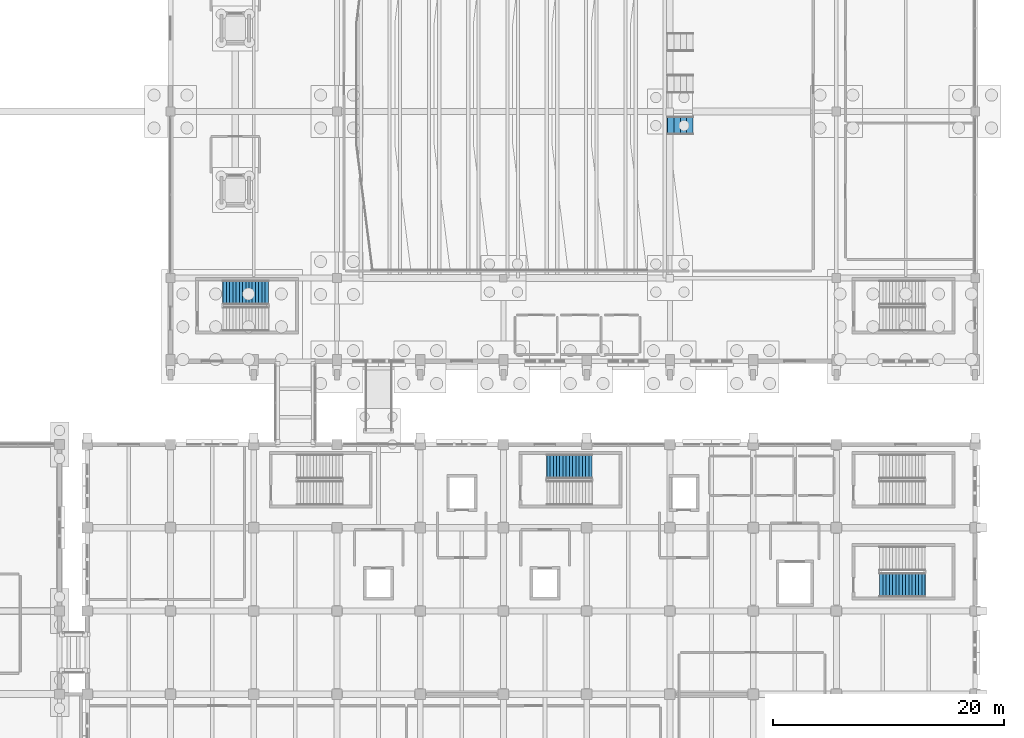
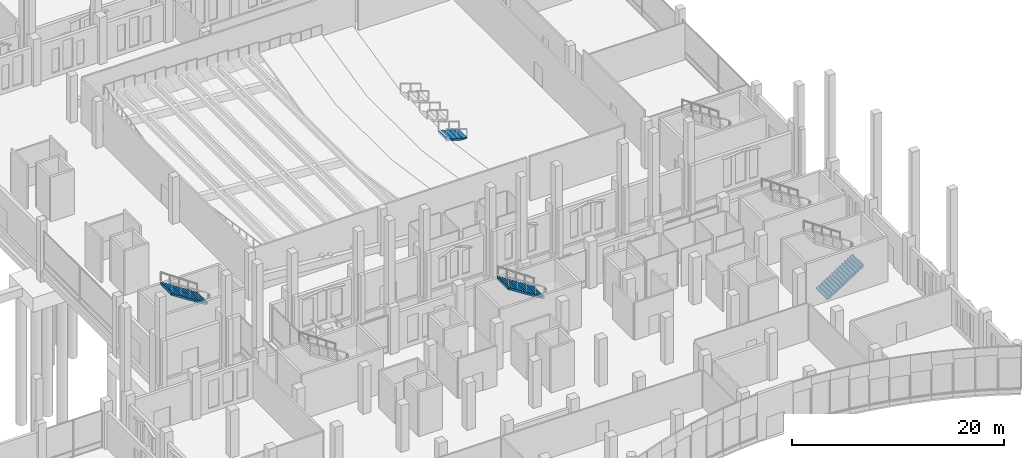
# One storey, part 163 of 192: 4 stair flights, 4 elements without a shape of their own.
"""IFC4 building model written with IfcOpenShell, lengths in metres."""

from ifc_helpers import new_model, si_unit, direction, frame, origin, place, context, subcontext, project, spatial, triangles, material, type_object, element, aggregate, save


model = new_model("IFC4")

# Units and contexts
model_context = context("Model", 3, precision=1e-05, world=origin(), true_north=direction((0.0, 1.0)))
body_context = subcontext(model_context, "Body", "Model", "MODEL_VIEW")
ifc_project = project(units=[si_unit("LENGTHUNIT", "METRE"), si_unit("AREAUNIT", "SQUARE_METRE"), si_unit("VOLUMEUNIT", "CUBIC_METRE"), si_unit("PLANEANGLEUNIT", "RADIAN"), si_unit("MASSUNIT", "GRAM", prefix="KILO")], contexts=[model_context])

# Site, building, storey
site_placement = place(None, origin())
site = spatial("IfcSite", under=ifc_project, at=site_placement, CompositionType="ELEMENT")
building_placement = place(site_placement, origin())
building = spatial("IfcBuilding", under=site, at=building_placement, Name="Cendralis Lancet Convention Centre", CompositionType="ELEMENT")
storey_placement = place(building_placement, origin())
storey = spatial("IfcBuildingStorey", under=building, at=storey_placement, Name="L00", CompositionType="ELEMENT", Elevation=0.0)

# Stair, stair flight
ifc_material = material(Name="Concrete G35 (C35/45)", Category="concrete")
stair_type_1 = type_object("IfcStairType", Name="ARC-ST-CORE", PredefinedType="HALF_TURN_STAIR", material=ifc_material)
stair_1_placement = place(storey_placement, origin())
stair_1 = element("IfcStair", 1, at=stair_1_placement, inside=storey, type_object=stair_type_1, Name="L00 Protected Exit Stair ST-08", PredefinedType="HALF_TURN_STAIR")
stair_flight_type_1 = type_object("IfcStairFlightType", Name="ARC-SF-CORE", PredefinedType="STRAIGHT", material=ifc_material)
stair_flight_1_placement = place(storey_placement, frame((147.669921875, 49.1298828125, 2.699951171875), z_axis=(0.0, 0.0, 1.0), x_axis=(-1.0, 0.0, 0.0)))
stair_flight_1 = element("IfcStairFlight", 2, at=stair_flight_1_placement, type_object=stair_flight_type_1, Name="ST-08 flight 2", NumberOfRisers=15, NumberOfTreads=14, PredefinedType="STRAIGHT", RiserHeight=0.18, TreadLength=0.28, context=body_context, shape_type="Tessellation", body=[
    triangles([(0.0, 0.0, 0.09), (0.0, 1.050049, 0.0), (0.0, -1.050049, 0.0), (0.0, -1.050049, 0.18), (0.0, 1.050049, 0.18), (0.138604, 0.0, 0.18), (0.277208, -1.050049, 0.18), (0.277208, 1.050049, 0.18), (0.138604, 0.0, 0.0), (0.277208, -1.050049, 0.0), (0.277208, 1.050049, 0.0), (0.278604, 0.0, 0.18), (0.28, -1.050049, 0.18), (0.28, 1.050049, 0.18), (0.278604, 0.0, 0.000897), (0.28, -1.050049, 0.001795), (0.28, 1.050049, 0.001795), (0.28, 0.0, 0.27), (0.28, -1.050049, 0.36), (0.28, 1.050049, 0.36), (0.42, 0.0, 0.36), (0.56, -1.050049, 0.36), (0.56, 1.050049, 0.36), (0.42, 0.0, 0.091795), (0.56, -1.050049, 0.181795), (0.56, 1.050049, 0.181795), (0.56, 0.0, 0.45), (0.56, -1.050049, 0.54), (0.56, 1.050049, 0.54), (0.7, 0.0, 0.54), (0.84, -1.050049, 0.54), (0.84, 1.050049, 0.54), (0.7, 0.0, 0.271795), (0.84, -1.050049, 0.361795), (0.84, 1.050049, 0.361795), (0.84, 0.0, 0.63), (0.84, -1.050049, 0.72), (0.84, 1.050049, 0.72), (0.98, 0.0, 0.72), (1.12, -1.050049, 0.72), (1.12, 1.050049, 0.72), (0.98, 0.0, 0.451795), (1.12, -1.050049, 0.541795), (1.12, 1.050049, 0.541795), (1.12, 0.0, 0.81), (1.12, -1.050049, 0.9), (1.12, 1.050049, 0.9), (1.26, 0.0, 0.9), (1.4, -1.050049, 0.9), (1.4, 1.050049, 0.9), (1.26, 0.0, 0.631795), (1.4, -1.050049, 0.721795), (1.4, 1.050049, 0.721795), (1.4, 0.0, 0.99), (1.4, -1.050049, 1.08), (1.4, 1.050049, 1.08), (1.54, 0.0, 1.08), (1.68, -1.050049, 1.08), (1.68, 1.050049, 1.08), (1.54, 0.0, 0.811795), (1.68, -1.050049, 0.901795), (1.68, 1.050049, 0.901795), (1.68, 0.0, 1.17), (1.68, -1.050049, 1.26), (1.68, 1.050049, 1.26), (1.82, 0.0, 1.26), (1.96, -1.050049, 1.26), (1.96, 1.050049, 1.26), (1.82, 0.0, 0.991795), (1.96, -1.050049, 1.081795), (1.96, 1.050049, 1.081795), (1.96, 0.0, 1.35), (1.96, -1.050049, 1.44), (1.96, 1.050049, 1.44), (2.1, 0.0, 1.44), (2.24, -1.050049, 1.44), (2.24, 1.050049, 1.44), (2.1, 0.0, 1.171795), (2.24, -1.050049, 1.261795), (2.24, 1.050049, 1.261795), (2.24, 0.0, 1.53), (2.24, -1.050049, 1.62), (2.24, 1.050049, 1.62), (2.38, 0.0, 1.62), (2.52, -1.050049, 1.62), (2.52, 1.050049, 1.62), (2.38, 0.0, 1.351795), (2.52, -1.050049, 1.441795), (2.52, 1.050049, 1.441795), (2.52, 0.0, 1.71), (2.52, -1.050049, 1.8), (2.52, 1.050049, 1.8), (2.66, 0.0, 1.8), (2.8, -1.050049, 1.8), (2.8, 1.050049, 1.8), (2.66, 0.0, 1.531795), (2.8, -1.050049, 1.621795), (2.8, 1.050049, 1.621795), (2.8, 0.0, 1.89), (2.8, -1.050049, 1.98), (2.8, 1.050049, 1.98), (2.94, 0.0, 1.98), (3.08, -1.050049, 1.98), (3.08, 1.050049, 1.98), (2.94, 0.0, 1.711795), (3.08, -1.050049, 1.801795), (3.08, 1.050049, 1.801795), (3.08, 0.0, 2.07), (3.08, -1.050049, 2.16), (3.08, 1.050049, 2.16), (3.22, 0.0, 2.16), (3.36, -1.050049, 2.16), (3.36, 1.050049, 2.16), (3.22, 0.0, 1.891795), (3.36, -1.050049, 1.981795), (3.36, 1.050049, 1.981795), (3.36, 0.0, 2.25), (3.36, -1.050049, 2.34), (3.36, 1.050049, 2.34), (3.5, 0.0, 2.34), (3.64, -1.050049, 2.34), (3.64, 1.050049, 2.34), (3.5, 0.0, 2.071795), (3.64, -1.050049, 2.161795), (3.64, 1.050049, 2.161795), (3.64, 0.0, 2.43), (3.64, -1.050049, 2.52), (3.64, 1.050049, 2.52), (3.78, 0.0, 2.52), (3.92, -1.050049, 2.52), (3.92, 1.050049, 2.52), (3.78, 0.0, 2.251795), (3.92, -1.050049, 2.341795), (3.92, 1.050049, 2.341795), (3.92, 0.0, 2.61), (3.92, -1.050049, 2.7), (3.92, 1.050049, 2.7), (3.94, 0.0, 2.7), (3.96, -1.050049, 2.7), (3.96, 1.050049, 2.7), (3.94, 0.0, 2.341795), (3.96, -1.050049, 2.341795), (3.96, 1.050049, 2.341795), (3.96, 0.0, 2.520898)], [[2, 3, 1], [3, 4, 1], [4, 5, 1], [5, 2, 1], [4, 7, 6], [7, 8, 6], [8, 5, 6], [5, 4, 6], [10, 3, 9], [3, 2, 9], [2, 11, 9], [11, 10, 9], [3, 10, 7], [3, 7, 4], [2, 8, 11], [2, 5, 8], [7, 13, 12], [13, 14, 12], [14, 8, 12], [8, 7, 12], [16, 10, 15], [10, 11, 15], [11, 17, 15], [17, 16, 15], [10, 16, 13], [10, 13, 7], [11, 14, 17], [11, 8, 14], [14, 13, 18], [13, 19, 18], [19, 20, 18], [20, 14, 18], [19, 22, 21], [22, 23, 21], [23, 20, 21], [20, 19, 21], [25, 16, 24], [16, 17, 24], [17, 26, 24], [26, 25, 24], [16, 25, 22], [16, 22, 13], [13, 22, 19], [17, 23, 26], [17, 14, 23], [14, 20, 23], [23, 22, 27], [22, 28, 27], [28, 29, 27], [29, 23, 27], [28, 31, 30], [31, 32, 30], [32, 29, 30], [29, 28, 30], [34, 25, 33], [25, 26, 33], [26, 35, 33], [35, 34, 33], [25, 34, 31], [25, 31, 22], [22, 31, 28], [26, 32, 35], [26, 23, 32], [23, 29, 32], [32, 31, 36], [31, 37, 36], [37, 38, 36], [38, 32, 36], [37, 40, 39], [40, 41, 39], [41, 38, 39], [38, 37, 39], [43, 34, 42], [34, 35, 42], [35, 44, 42], [44, 43, 42], [34, 43, 40], [34, 40, 31], [31, 40, 37], [35, 41, 44], [35, 32, 41], [32, 38, 41], [41, 40, 45], [40, 46, 45], [46, 47, 45], [47, 41, 45], [46, 49, 48], [49, 50, 48], [50, 47, 48], [47, 46, 48], [52, 43, 51], [43, 44, 51], [44, 53, 51], [53, 52, 51], [43, 52, 49], [43, 49, 40], [40, 49, 46], [44, 50, 53], [44, 41, 50], [41, 47, 50], [50, 49, 54], [49, 55, 54], [55, 56, 54], [56, 50, 54], [55, 58, 57], [58, 59, 57], [59, 56, 57], [56, 55, 57], [61, 52, 60], [52, 53, 60], [53, 62, 60], [62, 61, 60], [52, 61, 58], [52, 58, 49], [49, 58, 55], [53, 59, 62], [53, 50, 59], [50, 56, 59], [59, 58, 63], [58, 64, 63], [64, 65, 63], [65, 59, 63], [64, 67, 66], [67, 68, 66], [68, 65, 66], [65, 64, 66], [70, 61, 69], [61, 62, 69], [62, 71, 69], [71, 70, 69], [61, 70, 67], [61, 67, 58], [58, 67, 64], [62, 68, 71], [62, 59, 68], [59, 65, 68], [68, 67, 72], [67, 73, 72], [73, 74, 72], [74, 68, 72], [73, 76, 75], [76, 77, 75], [77, 74, 75], [74, 73, 75], [79, 70, 78], [70, 71, 78], [71, 80, 78], [80, 79, 78], [70, 79, 76], [70, 76, 67], [67, 76, 73], [71, 77, 80], [71, 68, 77], [68, 74, 77], [77, 76, 81], [76, 82, 81], [82, 83, 81], [83, 77, 81], [82, 85, 84], [85, 86, 84], [86, 83, 84], [83, 82, 84], [88, 79, 87], [79, 80, 87], [80, 89, 87], [89, 88, 87], [79, 88, 85], [79, 85, 76], [76, 85, 82], [80, 86, 89], [80, 77, 86], [77, 83, 86], [86, 85, 90], [85, 91, 90], [91, 92, 90], [92, 86, 90], [91, 94, 93], [94, 95, 93], [95, 92, 93], [92, 91, 93], [97, 88, 96], [88, 89, 96], [89, 98, 96], [98, 97, 96], [88, 97, 94], [88, 94, 85], [85, 94, 91], [89, 95, 98], [89, 86, 95], [86, 92, 95], [95, 94, 99], [94, 100, 99], [100, 101, 99], [101, 95, 99], [100, 103, 102], [103, 104, 102], [104, 101, 102], [101, 100, 102], [106, 97, 105], [97, 98, 105], [98, 107, 105], [107, 106, 105], [97, 106, 103], [97, 103, 94], [94, 103, 100], [98, 104, 107], [98, 95, 104], [95, 101, 104], [104, 103, 108], [103, 109, 108], [109, 110, 108], [110, 104, 108], [109, 112, 111], [112, 113, 111], [113, 110, 111], [110, 109, 111], [115, 106, 114], [106, 107, 114], [107, 116, 114], [116, 115, 114], [106, 115, 112], [106, 112, 103], [103, 112, 109], [107, 113, 116], [107, 104, 113], [104, 110, 113], [113, 112, 117], [112, 118, 117], [118, 119, 117], [119, 113, 117], [118, 121, 120], [121, 122, 120], [122, 119, 120], [119, 118, 120], [124, 115, 123], [115, 116, 123], [116, 125, 123], [125, 124, 123], [115, 124, 121], [115, 121, 112], [112, 121, 118], [116, 122, 125], [116, 113, 122], [113, 119, 122], [122, 121, 126], [121, 127, 126], [127, 128, 126], [128, 122, 126], [127, 130, 129], [130, 131, 129], [131, 128, 129], [128, 127, 129], [133, 124, 132], [124, 125, 132], [125, 134, 132], [134, 133, 132], [124, 133, 130], [124, 130, 121], [121, 130, 127], [125, 131, 134], [125, 122, 131], [122, 128, 131], [131, 130, 135], [130, 136, 135], [136, 137, 135], [137, 131, 135], [136, 139, 138], [139, 140, 138], [140, 137, 138], [137, 136, 138], [142, 133, 141], [133, 134, 141], [134, 143, 141], [143, 142, 141], [133, 142, 139], [133, 139, 130], [130, 139, 136], [134, 140, 143], [134, 131, 140], [131, 137, 140], [142, 143, 144], [143, 140, 144], [140, 139, 144], [139, 142, 144]], closed=True),
])
aggregate(stair_1, [stair_flight_1])

stair_2_placement = place(storey_placement, origin())
stair_2 = element("IfcStair", 3, at=stair_2_placement, inside=storey, type_object=stair_type_1, Name="L00 Protected Exit Stair ST-14", PredefinedType="HALF_TURN_STAIR")
stair_flight_2_placement = place(storey_placement, frame((175.669921875, 34.080078125, 2.699951171875), z_axis=(0.0, 0.0, 1.0), x_axis=(-1.0, 0.0, 0.0)))
stair_flight_2 = element("IfcStairFlight", 4, at=stair_flight_2_placement, type_object=stair_flight_type_1, Name="ST-14 flight 2", NumberOfRisers=15, NumberOfTreads=14, PredefinedType="STRAIGHT", RiserHeight=0.18, TreadLength=0.28, context=body_context, shape_type="Tessellation", body=[
    triangles([(0.0, 0.0, 0.09), (0.0, 1.050049, 0.0), (0.0, -1.050049, 0.0), (0.0, -1.050049, 0.18), (0.0, 1.050049, 0.18), (0.138604, 0.0, 0.18), (0.277208, -1.050049, 0.18), (0.277208, 1.050049, 0.18), (0.138604, 0.0, 0.0), (0.277208, -1.050049, 0.0), (0.277208, 1.050049, 0.0), (0.278604, 0.0, 0.18), (0.28, -1.050049, 0.18), (0.28, 1.050049, 0.18), (0.278604, 0.0, 0.000897), (0.28, -1.050049, 0.001795), (0.28, 1.050049, 0.001795), (0.28, 0.0, 0.27), (0.28, -1.050049, 0.36), (0.28, 1.050049, 0.36), (0.42, 0.0, 0.36), (0.56, -1.050049, 0.36), (0.56, 1.050049, 0.36), (0.42, 0.0, 0.091795), (0.56, -1.050049, 0.181795), (0.56, 1.050049, 0.181795), (0.56, 0.0, 0.45), (0.56, -1.050049, 0.54), (0.56, 1.050049, 0.54), (0.7, 0.0, 0.54), (0.84, -1.050049, 0.54), (0.84, 1.050049, 0.54), (0.7, 0.0, 0.271795), (0.84, -1.050049, 0.361795), (0.84, 1.050049, 0.361795), (0.84, 0.0, 0.63), (0.84, -1.050049, 0.72), (0.84, 1.050049, 0.72), (0.98, 0.0, 0.72), (1.12, -1.050049, 0.72), (1.12, 1.050049, 0.72), (0.98, 0.0, 0.451795), (1.12, -1.050049, 0.541795), (1.12, 1.050049, 0.541795), (1.12, 0.0, 0.81), (1.12, -1.050049, 0.9), (1.12, 1.050049, 0.9), (1.26, 0.0, 0.9), (1.4, -1.050049, 0.9), (1.4, 1.050049, 0.9), (1.26, 0.0, 0.631795), (1.4, -1.050049, 0.721795), (1.4, 1.050049, 0.721795), (1.4, 0.0, 0.99), (1.4, -1.050049, 1.08), (1.4, 1.050049, 1.08), (1.54, 0.0, 1.08), (1.68, -1.050049, 1.08), (1.68, 1.050049, 1.08), (1.54, 0.0, 0.811795), (1.68, -1.050049, 0.901795), (1.68, 1.050049, 0.901795), (1.68, 0.0, 1.17), (1.68, -1.050049, 1.26), (1.68, 1.050049, 1.26), (1.82, 0.0, 1.26), (1.96, -1.050049, 1.26), (1.96, 1.050049, 1.26), (1.82, 0.0, 0.991795), (1.96, -1.050049, 1.081795), (1.96, 1.050049, 1.081795), (1.96, 0.0, 1.35), (1.96, -1.050049, 1.44), (1.96, 1.050049, 1.44), (2.1, 0.0, 1.44), (2.24, -1.050049, 1.44), (2.24, 1.050049, 1.44), (2.1, 0.0, 1.171795), (2.24, -1.050049, 1.261795), (2.24, 1.050049, 1.261795), (2.24, 0.0, 1.53), (2.24, -1.050049, 1.62), (2.24, 1.050049, 1.62), (2.38, 0.0, 1.62), (2.52, -1.050049, 1.62), (2.52, 1.050049, 1.62), (2.38, 0.0, 1.351795), (2.52, -1.050049, 1.441795), (2.52, 1.050049, 1.441795), (2.52, 0.0, 1.71), (2.52, -1.050049, 1.8), (2.52, 1.050049, 1.8), (2.66, 0.0, 1.8), (2.8, -1.050049, 1.8), (2.8, 1.050049, 1.8), (2.66, 0.0, 1.531795), (2.8, -1.050049, 1.621795), (2.8, 1.050049, 1.621795), (2.8, 0.0, 1.89), (2.8, -1.050049, 1.98), (2.8, 1.050049, 1.98), (2.94, 0.0, 1.98), (3.08, -1.050049, 1.98), (3.08, 1.050049, 1.98), (2.94, 0.0, 1.711795), (3.08, -1.050049, 1.801795), (3.08, 1.050049, 1.801795), (3.08, 0.0, 2.07), (3.08, -1.050049, 2.16), (3.08, 1.050049, 2.16), (3.22, 0.0, 2.16), (3.36, -1.050049, 2.16), (3.36, 1.050049, 2.16), (3.22, 0.0, 1.891795), (3.36, -1.050049, 1.981795), (3.36, 1.050049, 1.981795), (3.36, 0.0, 2.25), (3.36, -1.050049, 2.34), (3.36, 1.050049, 2.34), (3.5, 0.0, 2.34), (3.64, -1.050049, 2.34), (3.64, 1.050049, 2.34), (3.5, 0.0, 2.071795), (3.64, -1.050049, 2.161795), (3.64, 1.050049, 2.161795), (3.64, 0.0, 2.43), (3.64, -1.050049, 2.52), (3.64, 1.050049, 2.52), (3.78, 0.0, 2.52), (3.92, -1.050049, 2.52), (3.92, 1.050049, 2.52), (3.78, 0.0, 2.251795), (3.92, -1.050049, 2.341795), (3.92, 1.050049, 2.341795), (3.92, 0.0, 2.61), (3.92, -1.050049, 2.7), (3.92, 1.050049, 2.7), (3.94, 0.0, 2.7), (3.96, -1.050049, 2.7), (3.96, 1.050049, 2.7), (3.94, 0.0, 2.341795), (3.96, -1.050049, 2.341795), (3.96, 1.050049, 2.341795), (3.96, 0.0, 2.520898)], [[2, 3, 1], [3, 4, 1], [4, 5, 1], [5, 2, 1], [4, 7, 6], [7, 8, 6], [8, 5, 6], [5, 4, 6], [10, 3, 9], [3, 2, 9], [2, 11, 9], [11, 10, 9], [3, 10, 7], [3, 7, 4], [2, 8, 11], [2, 5, 8], [7, 13, 12], [13, 14, 12], [14, 8, 12], [8, 7, 12], [16, 10, 15], [10, 11, 15], [11, 17, 15], [17, 16, 15], [10, 16, 13], [10, 13, 7], [11, 14, 17], [11, 8, 14], [14, 13, 18], [13, 19, 18], [19, 20, 18], [20, 14, 18], [19, 22, 21], [22, 23, 21], [23, 20, 21], [20, 19, 21], [25, 16, 24], [16, 17, 24], [17, 26, 24], [26, 25, 24], [16, 25, 22], [16, 22, 13], [13, 22, 19], [17, 23, 26], [17, 14, 23], [14, 20, 23], [23, 22, 27], [22, 28, 27], [28, 29, 27], [29, 23, 27], [28, 31, 30], [31, 32, 30], [32, 29, 30], [29, 28, 30], [34, 25, 33], [25, 26, 33], [26, 35, 33], [35, 34, 33], [25, 34, 31], [25, 31, 22], [22, 31, 28], [26, 32, 35], [26, 23, 32], [23, 29, 32], [32, 31, 36], [31, 37, 36], [37, 38, 36], [38, 32, 36], [37, 40, 39], [40, 41, 39], [41, 38, 39], [38, 37, 39], [43, 34, 42], [34, 35, 42], [35, 44, 42], [44, 43, 42], [34, 43, 40], [34, 40, 31], [31, 40, 37], [35, 41, 44], [35, 32, 41], [32, 38, 41], [41, 40, 45], [40, 46, 45], [46, 47, 45], [47, 41, 45], [46, 49, 48], [49, 50, 48], [50, 47, 48], [47, 46, 48], [52, 43, 51], [43, 44, 51], [44, 53, 51], [53, 52, 51], [43, 52, 49], [43, 49, 40], [40, 49, 46], [44, 50, 53], [44, 41, 50], [41, 47, 50], [50, 49, 54], [49, 55, 54], [55, 56, 54], [56, 50, 54], [55, 58, 57], [58, 59, 57], [59, 56, 57], [56, 55, 57], [61, 52, 60], [52, 53, 60], [53, 62, 60], [62, 61, 60], [52, 61, 58], [52, 58, 49], [49, 58, 55], [53, 59, 62], [53, 50, 59], [50, 56, 59], [59, 58, 63], [58, 64, 63], [64, 65, 63], [65, 59, 63], [64, 67, 66], [67, 68, 66], [68, 65, 66], [65, 64, 66], [70, 61, 69], [61, 62, 69], [62, 71, 69], [71, 70, 69], [61, 70, 67], [61, 67, 58], [58, 67, 64], [62, 68, 71], [62, 59, 68], [59, 65, 68], [68, 67, 72], [67, 73, 72], [73, 74, 72], [74, 68, 72], [73, 76, 75], [76, 77, 75], [77, 74, 75], [74, 73, 75], [79, 70, 78], [70, 71, 78], [71, 80, 78], [80, 79, 78], [70, 79, 76], [70, 76, 67], [67, 76, 73], [71, 77, 80], [71, 68, 77], [68, 74, 77], [77, 76, 81], [76, 82, 81], [82, 83, 81], [83, 77, 81], [82, 85, 84], [85, 86, 84], [86, 83, 84], [83, 82, 84], [88, 79, 87], [79, 80, 87], [80, 89, 87], [89, 88, 87], [79, 88, 85], [79, 85, 76], [76, 85, 82], [80, 86, 89], [80, 77, 86], [77, 83, 86], [86, 85, 90], [85, 91, 90], [91, 92, 90], [92, 86, 90], [91, 94, 93], [94, 95, 93], [95, 92, 93], [92, 91, 93], [97, 88, 96], [88, 89, 96], [89, 98, 96], [98, 97, 96], [88, 97, 94], [88, 94, 85], [85, 94, 91], [89, 95, 98], [89, 86, 95], [86, 92, 95], [95, 94, 99], [94, 100, 99], [100, 101, 99], [101, 95, 99], [100, 103, 102], [103, 104, 102], [104, 101, 102], [101, 100, 102], [106, 97, 105], [97, 98, 105], [98, 107, 105], [107, 106, 105], [97, 106, 103], [97, 103, 94], [94, 103, 100], [98, 104, 107], [98, 95, 104], [95, 101, 104], [104, 103, 108], [103, 109, 108], [109, 110, 108], [110, 104, 108], [109, 112, 111], [112, 113, 111], [113, 110, 111], [110, 109, 111], [115, 106, 114], [106, 107, 114], [107, 116, 114], [116, 115, 114], [106, 115, 112], [106, 112, 103], [103, 112, 109], [107, 113, 116], [107, 104, 113], [104, 110, 113], [113, 112, 117], [112, 118, 117], [118, 119, 117], [119, 113, 117], [118, 121, 120], [121, 122, 120], [122, 119, 120], [119, 118, 120], [124, 115, 123], [115, 116, 123], [116, 125, 123], [125, 124, 123], [115, 124, 121], [115, 121, 112], [112, 121, 118], [116, 122, 125], [116, 113, 122], [113, 119, 122], [122, 121, 126], [121, 127, 126], [127, 128, 126], [128, 122, 126], [127, 130, 129], [130, 131, 129], [131, 128, 129], [128, 127, 129], [133, 124, 132], [124, 125, 132], [125, 134, 132], [134, 133, 132], [124, 133, 130], [124, 130, 121], [121, 130, 127], [125, 131, 134], [125, 122, 131], [122, 128, 131], [131, 130, 135], [130, 136, 135], [136, 137, 135], [137, 131, 135], [136, 139, 138], [139, 140, 138], [140, 137, 138], [137, 136, 138], [142, 133, 141], [133, 134, 141], [134, 143, 141], [143, 142, 141], [133, 142, 139], [133, 139, 130], [130, 139, 136], [134, 140, 143], [134, 131, 140], [131, 137, 140], [142, 143, 144], [143, 140, 144], [140, 139, 144], [139, 142, 144]], closed=True),
])
aggregate(stair_2, [stair_flight_2])

stair_3_placement = place(storey_placement, origin())
stair_3 = element("IfcStair", 5, at=stair_3_placement, inside=storey, type_object=stair_type_1, Name="L00 Protected Exit Stair ST-15", PredefinedType="HALF_TURN_STAIR")
stair_flight_3_placement = place(storey_placement, frame((200.550048828125, 23.85009765625, 0.0), z_axis=(0.0, 0.0, 1.0), x_axis=(1.0, 0.0, 0.0)))
stair_flight_3 = element("IfcStairFlight", 6, at=stair_flight_3_placement, type_object=stair_flight_type_1, Name="ST-15 flight 1", NumberOfRisers=15, NumberOfTreads=14, PredefinedType="STRAIGHT", RiserHeight=0.18, TreadLength=0.28, context=body_context, shape_type="Tessellation", body=[
    triangles([(0.0, 0.0, 0.09), (0.0, 1.050049, 0.0), (0.0, -1.050049, 0.0), (0.0, -1.050049, 0.18), (0.0, 1.050049, 0.18), (0.138604, 0.0, 0.18), (0.277208, -1.050049, 0.18), (0.277208, 1.050049, 0.18), (0.138604, 0.0, 0.0), (0.277208, -1.050049, 0.0), (0.277208, 1.050049, 0.0), (0.278604, 0.0, 0.18), (0.28, -1.050049, 0.18), (0.28, 1.050049, 0.18), (0.278604, 0.0, 0.000897), (0.28, -1.050049, 0.001795), (0.28, 1.050049, 0.001795), (0.28, 0.0, 0.27), (0.28, -1.050049, 0.36), (0.28, 1.050049, 0.36), (0.42, 0.0, 0.36), (0.56, -1.050049, 0.36), (0.56, 1.050049, 0.36), (0.42, 0.0, 0.091795), (0.56, -1.050049, 0.181795), (0.56, 1.050049, 0.181795), (0.56, 0.0, 0.45), (0.56, -1.050049, 0.54), (0.56, 1.050049, 0.54), (0.7, 0.0, 0.54), (0.84, -1.050049, 0.54), (0.84, 1.050049, 0.54), (0.7, 0.0, 0.271795), (0.84, -1.050049, 0.361795), (0.84, 1.050049, 0.361795), (0.84, 0.0, 0.63), (0.84, -1.050049, 0.72), (0.84, 1.050049, 0.72), (0.98, 0.0, 0.72), (1.12, -1.050049, 0.72), (1.12, 1.050049, 0.72), (0.98, 0.0, 0.451795), (1.12, -1.050049, 0.541795), (1.12, 1.050049, 0.541795), (1.12, 0.0, 0.81), (1.12, -1.050049, 0.9), (1.12, 1.050049, 0.9), (1.26, 0.0, 0.9), (1.4, -1.050049, 0.9), (1.4, 1.050049, 0.9), (1.26, 0.0, 0.631795), (1.4, -1.050049, 0.721795), (1.4, 1.050049, 0.721795), (1.4, 0.0, 0.99), (1.4, -1.050049, 1.08), (1.4, 1.050049, 1.08), (1.54, 0.0, 1.08), (1.68, -1.050049, 1.08), (1.68, 1.050049, 1.08), (1.54, 0.0, 0.811795), (1.68, -1.050049, 0.901795), (1.68, 1.050049, 0.901795), (1.68, 0.0, 1.17), (1.68, -1.050049, 1.26), (1.68, 1.050049, 1.26), (1.82, 0.0, 1.26), (1.96, -1.050049, 1.26), (1.96, 1.050049, 1.26), (1.82, 0.0, 0.991795), (1.96, -1.050049, 1.081795), (1.96, 1.050049, 1.081795), (1.96, 0.0, 1.35), (1.96, -1.050049, 1.44), (1.96, 1.050049, 1.44), (2.1, 0.0, 1.44), (2.24, -1.050049, 1.44), (2.24, 1.050049, 1.44), (2.1, 0.0, 1.171795), (2.24, -1.050049, 1.261795), (2.24, 1.050049, 1.261795), (2.24, 0.0, 1.53), (2.24, -1.050049, 1.62), (2.24, 1.050049, 1.62), (2.38, 0.0, 1.62), (2.52, -1.050049, 1.62), (2.52, 1.050049, 1.62), (2.38, 0.0, 1.351795), (2.52, -1.050049, 1.441795), (2.52, 1.050049, 1.441795), (2.52, 0.0, 1.71), (2.52, -1.050049, 1.8), (2.52, 1.050049, 1.8), (2.66, 0.0, 1.8), (2.8, -1.050049, 1.8), (2.8, 1.050049, 1.8), (2.66, 0.0, 1.531795), (2.8, -1.050049, 1.621795), (2.8, 1.050049, 1.621795), (2.8, 0.0, 1.89), (2.8, -1.050049, 1.98), (2.8, 1.050049, 1.98), (2.94, 0.0, 1.98), (3.08, -1.050049, 1.98), (3.08, 1.050049, 1.98), (2.94, 0.0, 1.711795), (3.08, -1.050049, 1.801795), (3.08, 1.050049, 1.801795), (3.08, 0.0, 2.07), (3.08, -1.050049, 2.16), (3.08, 1.050049, 2.16), (3.22, 0.0, 2.16), (3.36, -1.050049, 2.16), (3.36, 1.050049, 2.16), (3.22, 0.0, 1.891795), (3.36, -1.050049, 1.981795), (3.36, 1.050049, 1.981795), (3.36, 0.0, 2.25), (3.36, -1.050049, 2.34), (3.36, 1.050049, 2.34), (3.5, 0.0, 2.34), (3.64, -1.050049, 2.34), (3.64, 1.050049, 2.34), (3.5, 0.0, 2.071795), (3.64, -1.050049, 2.161795), (3.64, 1.050049, 2.161795), (3.64, 0.0, 2.43), (3.64, -1.050049, 2.52), (3.64, 1.050049, 2.52), (3.78, 0.0, 2.52), (3.92, -1.050049, 2.52), (3.92, 1.050049, 2.52), (3.78, 0.0, 2.251795), (3.92, -1.050049, 2.341795), (3.92, 1.050049, 2.341795), (3.92, 0.0, 2.61), (3.92, -1.050049, 2.7), (3.92, 1.050049, 2.7), (3.94, 0.0, 2.7), (3.96, -1.050049, 2.7), (3.96, 1.050049, 2.7), (3.94, 0.0, 2.341795), (3.96, -1.050049, 2.341795), (3.96, 1.050049, 2.341795), (3.96, 0.0, 2.520898)], [[2, 3, 1], [3, 4, 1], [4, 5, 1], [5, 2, 1], [4, 7, 6], [7, 8, 6], [8, 5, 6], [5, 4, 6], [10, 3, 9], [3, 2, 9], [2, 11, 9], [11, 10, 9], [3, 10, 7], [3, 7, 4], [2, 8, 11], [2, 5, 8], [7, 13, 12], [13, 14, 12], [14, 8, 12], [8, 7, 12], [16, 10, 15], [10, 11, 15], [11, 17, 15], [17, 16, 15], [10, 16, 13], [10, 13, 7], [11, 14, 17], [11, 8, 14], [14, 13, 18], [13, 19, 18], [19, 20, 18], [20, 14, 18], [19, 22, 21], [22, 23, 21], [23, 20, 21], [20, 19, 21], [25, 16, 24], [16, 17, 24], [17, 26, 24], [26, 25, 24], [16, 25, 22], [16, 22, 13], [13, 22, 19], [17, 23, 26], [17, 14, 23], [14, 20, 23], [23, 22, 27], [22, 28, 27], [28, 29, 27], [29, 23, 27], [28, 31, 30], [31, 32, 30], [32, 29, 30], [29, 28, 30], [34, 25, 33], [25, 26, 33], [26, 35, 33], [35, 34, 33], [25, 34, 31], [25, 31, 22], [22, 31, 28], [26, 32, 35], [26, 23, 32], [23, 29, 32], [32, 31, 36], [31, 37, 36], [37, 38, 36], [38, 32, 36], [37, 40, 39], [40, 41, 39], [41, 38, 39], [38, 37, 39], [43, 34, 42], [34, 35, 42], [35, 44, 42], [44, 43, 42], [34, 43, 40], [34, 40, 31], [31, 40, 37], [35, 41, 44], [35, 32, 41], [32, 38, 41], [41, 40, 45], [40, 46, 45], [46, 47, 45], [47, 41, 45], [46, 49, 48], [49, 50, 48], [50, 47, 48], [47, 46, 48], [52, 43, 51], [43, 44, 51], [44, 53, 51], [53, 52, 51], [43, 52, 49], [43, 49, 40], [40, 49, 46], [44, 50, 53], [44, 41, 50], [41, 47, 50], [50, 49, 54], [49, 55, 54], [55, 56, 54], [56, 50, 54], [55, 58, 57], [58, 59, 57], [59, 56, 57], [56, 55, 57], [61, 52, 60], [52, 53, 60], [53, 62, 60], [62, 61, 60], [52, 61, 58], [52, 58, 49], [49, 58, 55], [53, 59, 62], [53, 50, 59], [50, 56, 59], [59, 58, 63], [58, 64, 63], [64, 65, 63], [65, 59, 63], [64, 67, 66], [67, 68, 66], [68, 65, 66], [65, 64, 66], [70, 61, 69], [61, 62, 69], [62, 71, 69], [71, 70, 69], [61, 70, 67], [61, 67, 58], [58, 67, 64], [62, 68, 71], [62, 59, 68], [59, 65, 68], [68, 67, 72], [67, 73, 72], [73, 74, 72], [74, 68, 72], [73, 76, 75], [76, 77, 75], [77, 74, 75], [74, 73, 75], [79, 70, 78], [70, 71, 78], [71, 80, 78], [80, 79, 78], [70, 79, 76], [70, 76, 67], [67, 76, 73], [71, 77, 80], [71, 68, 77], [68, 74, 77], [77, 76, 81], [76, 82, 81], [82, 83, 81], [83, 77, 81], [82, 85, 84], [85, 86, 84], [86, 83, 84], [83, 82, 84], [88, 79, 87], [79, 80, 87], [80, 89, 87], [89, 88, 87], [79, 88, 85], [79, 85, 76], [76, 85, 82], [80, 86, 89], [80, 77, 86], [77, 83, 86], [86, 85, 90], [85, 91, 90], [91, 92, 90], [92, 86, 90], [91, 94, 93], [94, 95, 93], [95, 92, 93], [92, 91, 93], [97, 88, 96], [88, 89, 96], [89, 98, 96], [98, 97, 96], [88, 97, 94], [88, 94, 85], [85, 94, 91], [89, 95, 98], [89, 86, 95], [86, 92, 95], [95, 94, 99], [94, 100, 99], [100, 101, 99], [101, 95, 99], [100, 103, 102], [103, 104, 102], [104, 101, 102], [101, 100, 102], [106, 97, 105], [97, 98, 105], [98, 107, 105], [107, 106, 105], [97, 106, 103], [97, 103, 94], [94, 103, 100], [98, 104, 107], [98, 95, 104], [95, 101, 104], [104, 103, 108], [103, 109, 108], [109, 110, 108], [110, 104, 108], [109, 112, 111], [112, 113, 111], [113, 110, 111], [110, 109, 111], [115, 106, 114], [106, 107, 114], [107, 116, 114], [116, 115, 114], [106, 115, 112], [106, 112, 103], [103, 112, 109], [107, 113, 116], [107, 104, 113], [104, 110, 113], [113, 112, 117], [112, 118, 117], [118, 119, 117], [119, 113, 117], [118, 121, 120], [121, 122, 120], [122, 119, 120], [119, 118, 120], [124, 115, 123], [115, 116, 123], [116, 125, 123], [125, 124, 123], [115, 124, 121], [115, 121, 112], [112, 121, 118], [116, 122, 125], [116, 113, 122], [113, 119, 122], [122, 121, 126], [121, 127, 126], [127, 128, 126], [128, 122, 126], [127, 130, 129], [130, 131, 129], [131, 128, 129], [128, 127, 129], [133, 124, 132], [124, 125, 132], [125, 134, 132], [134, 133, 132], [124, 133, 130], [124, 130, 121], [121, 130, 127], [125, 131, 134], [125, 122, 131], [122, 128, 131], [131, 130, 135], [130, 136, 135], [136, 137, 135], [137, 131, 135], [136, 139, 138], [139, 140, 138], [140, 137, 138], [137, 136, 138], [142, 133, 141], [133, 134, 141], [134, 143, 141], [143, 142, 141], [133, 142, 139], [133, 139, 130], [130, 139, 136], [134, 140, 143], [134, 131, 140], [131, 137, 140], [142, 143, 144], [143, 140, 144], [140, 139, 144], [139, 142, 144]], closed=True),
])
aggregate(stair_3, [stair_flight_3])

stair_type_2 = type_object("IfcStairType", Name="ARC-ST-VOM", PredefinedType="STRAIGHT_RUN_STAIR", material=ifc_material)
stair_4_placement = place(storey_placement, origin())
stair_4 = element("IfcStair", 7, at=stair_4_placement, inside=storey, type_object=stair_type_2, Name="Plenary Stalls Vomitory Gangway Stair VS-01", PredefinedType="STRAIGHT_RUN_STAIR")
stair_flight_type_2 = type_object("IfcStairFlightType", Name="ARC-SF-VOM", PredefinedType="STRAIGHT", material=ifc_material)
stair_flight_4_placement = place(storey_placement, frame((184.39990234375, 63.60009765625, 0.0), z_axis=(0.0, 0.0, 1.0), x_axis=(-1.0, 0.0, 0.0)))
stair_flight_4 = element("IfcStairFlight", 8, at=stair_flight_4_placement, type_object=stair_flight_type_2, Name="Plenary Stalls Vomitory Gangway Stair VS-01 Flight", NumberOfRisers=5, NumberOfTreads=4, PredefinedType="STRAIGHT", RiserHeight=0.15, TreadLength=0.55, context=body_context, shape_type="Tessellation", body=[
    triangles([(0.0, 0.0, 0.075), (0.0, 0.800049, 0.0), (0.0, -0.800049, 0.0), (0.0, -0.800049, 0.15), (0.0, 0.800049, 0.15), (0.275, 0.0, 0.15), (0.55, -0.800049, 0.15), (0.55, 0.800049, 0.15), (0.275, 0.0, 0.0), (0.55, -0.800049, 0.0), (0.55, 0.800049, 0.0), (0.55, 0.0, 0.225), (0.55, -0.800049, 0.3), (0.55, 0.800049, 0.3), (0.559859, 0.0, 0.3), (0.569717, -0.800049, 0.3), (0.569717, 0.800049, 0.3), (0.559859, 0.0, 0.0), (0.569717, -0.800049, 0.0), (0.569717, 0.800049, 0.0), (0.834858, 0.0, 0.3), (1.1, -0.800049, 0.3), (1.1, 0.800049, 0.3), (0.834859, 0.0, 0.072312), (1.1, -0.800049, 0.144623), (1.1, 0.800049, 0.144623), (1.1, 0.0, 0.375), (1.1, -0.800049, 0.45), (1.1, 0.800049, 0.45), (1.375, 0.0, 0.45), (1.65, -0.800049, 0.45), (1.65, 0.800049, 0.45), (1.375, 0.0, 0.219623), (1.65, -0.800049, 0.294623), (1.65, 0.800049, 0.294623), (1.65, 0.0, 0.525), (1.65, -0.800049, 0.6), (1.65, 0.800049, 0.6), (1.925, 0.0, 0.6), (2.2, -0.800049, 0.6), (2.2, 0.800049, 0.6), (1.925, 0.0, 0.369623), (2.2, -0.800049, 0.444623), (2.2, 0.800049, 0.444623), (2.2, 0.0, 0.675), (2.2, -0.800049, 0.75), (2.2, 0.800049, 0.75), (2.22, 0.0, 0.75), (2.24, -0.800049, 0.75), (2.24, 0.800049, 0.75), (2.22, 0.0, 0.444623), (2.24, -0.800049, 0.444623), (2.24, 0.800049, 0.444623), (2.24, 0.0, 0.597311)], [[2, 3, 1], [3, 4, 1], [4, 5, 1], [5, 2, 1], [4, 7, 6], [7, 8, 6], [8, 5, 6], [5, 4, 6], [10, 3, 9], [3, 2, 9], [2, 11, 9], [11, 10, 9], [3, 10, 7], [3, 7, 4], [2, 8, 11], [2, 5, 8], [8, 7, 12], [7, 13, 12], [13, 14, 12], [14, 8, 12], [13, 16, 15], [16, 17, 15], [17, 14, 15], [14, 13, 15], [19, 10, 18], [10, 11, 18], [11, 20, 18], [20, 19, 18], [10, 19, 16], [10, 16, 7], [7, 16, 13], [11, 17, 20], [11, 8, 17], [8, 14, 17], [16, 22, 21], [22, 23, 21], [23, 17, 21], [17, 16, 21], [25, 19, 24], [19, 20, 24], [20, 26, 24], [26, 25, 24], [19, 25, 22], [19, 22, 16], [20, 23, 26], [20, 17, 23], [23, 22, 27], [22, 28, 27], [28, 29, 27], [29, 23, 27], [28, 31, 30], [31, 32, 30], [32, 29, 30], [29, 28, 30], [34, 25, 33], [25, 26, 33], [26, 35, 33], [35, 34, 33], [25, 34, 31], [25, 31, 22], [22, 31, 28], [26, 32, 35], [26, 23, 32], [23, 29, 32], [32, 31, 36], [31, 37, 36], [37, 38, 36], [38, 32, 36], [37, 40, 39], [40, 41, 39], [41, 38, 39], [38, 37, 39], [43, 34, 42], [34, 35, 42], [35, 44, 42], [44, 43, 42], [34, 43, 40], [34, 40, 31], [31, 40, 37], [35, 41, 44], [35, 32, 41], [32, 38, 41], [41, 40, 45], [40, 46, 45], [46, 47, 45], [47, 41, 45], [46, 49, 48], [49, 50, 48], [50, 47, 48], [47, 46, 48], [52, 43, 51], [43, 44, 51], [44, 53, 51], [53, 52, 51], [43, 52, 49], [43, 49, 40], [40, 49, 46], [44, 50, 53], [44, 41, 50], [41, 47, 50], [52, 53, 54], [53, 50, 54], [50, 49, 54], [49, 52, 54]], closed=True),
])
aggregate(stair_4, [stair_flight_4])

save(model, "model.ifc")
